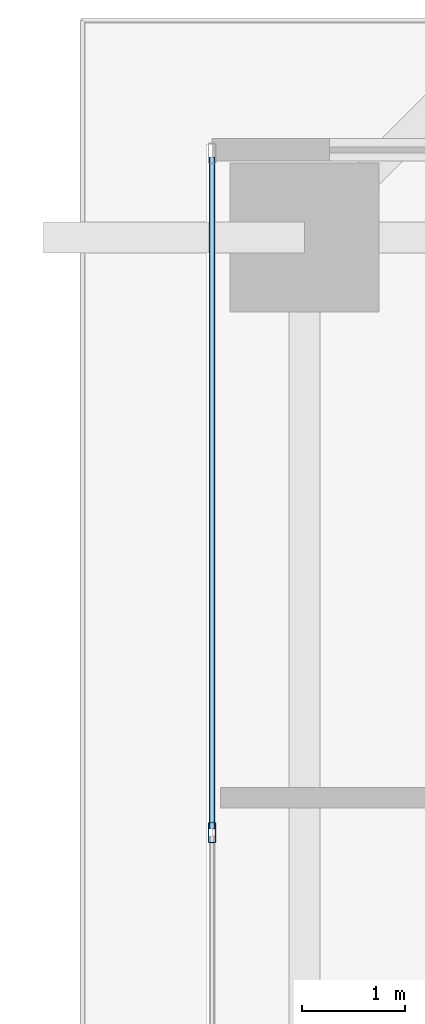
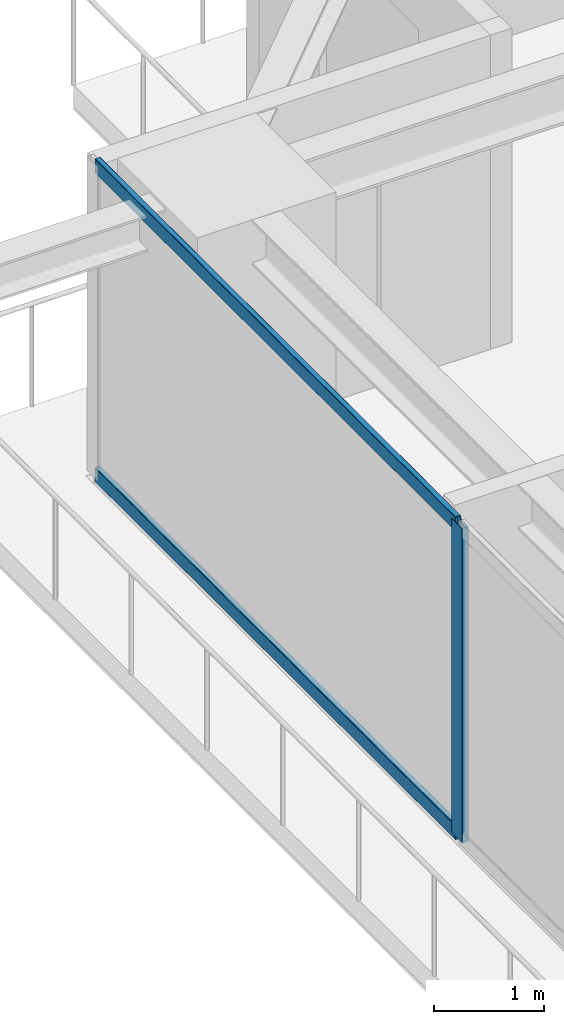
# One storey, part 16 of 38: 3 members, 1 element without a shape of its own.
"""IFC4 building model written with IfcOpenShell, lengths in metres."""

from ifc_helpers import new_model, si_unit, direction, frame, origin, origin_2d, place, context, subcontext, project, spatial, hollow_rectangle, extrude, source, transform, mapped, material, layer, layer_set, material_profile, profile_set, type_object, element, aggregate, save


model = new_model("IFC4")

# Units and contexts
model_context = context("Model", 3, precision=1e-05, world=origin(), true_north=direction((0.0, 1.0)))
body_context = subcontext(model_context, "Body", "Model", "MODEL_VIEW")
ifc_project = project(units=[si_unit("LENGTHUNIT", "METRE"), si_unit("AREAUNIT", "SQUARE_METRE"), si_unit("VOLUMEUNIT", "CUBIC_METRE"), si_unit("PLANEANGLEUNIT", "RADIAN"), si_unit("MASSUNIT", "GRAM", prefix="KILO")], contexts=[model_context])

# Site, building, storey
site_placement = place(None, origin())
site = spatial("IfcSite", under=ifc_project, at=site_placement, CompositionType="ELEMENT")
building_placement = place(site_placement, origin())
building = spatial("IfcBuilding", under=site, at=building_placement, Name="Serunith Strait Residences", CompositionType="ELEMENT")
storey_placement = place(building_placement, frame((0.0, 0.0, 67.949951171875)))
storey = spatial("IfcBuildingStorey", under=building, at=storey_placement, Name="L16", CompositionType="ELEMENT", Elevation=67.949951171875)

# Curtain wall, members
ifc_material = material(Name="Pale-Champagne Anodised Aluminium", Category="aluminium")
ifc_layer = layer(ifc_material, 0.199951171875, Name="Pale-Champagne Anodised Aluminium")
ifc_layer_set = layer_set([ifc_layer], Name="Pale-Champagne Anodised Aluminium")
curtain_wall_type = type_object("IfcCurtainWallType", Name="CW-SYS1", PredefinedType="NOTDEFINED", material=ifc_layer_set)
curtain_wall_placement = place(storey_placement, origin())
curtain_wall = element("IfcCurtainWall", 1, at=curtain_wall_placement, inside=storey, type_object=curtain_wall_type, Name="L16 W Unitised Fritted Curtain Wall", PredefinedType="NOTDEFINED")
ifc_material_profile_1 = material_profile(ifc_material, hollow_rectangle(XDim=0.070068359375, YDim=0.199951171875, WallThickness=0.00390625, InnerFilletRadius=0.006103515625, OuterFilletRadius=0.010009765625, at=origin_2d()), Name="ALU 200x70x4")
ifc_profile_set_1 = profile_set([ifc_material_profile_1], Name="Pale-Champagne Anodised Aluminium")
member_type_1 = type_object("IfcMemberType", Name="CW-SYS1-MULL", PredefinedType="MULLION", material=ifc_profile_set_1)
shared_shape_1 = source(origin(), body_context, "Body", "SweptSolid", [
    extrude(hollow_rectangle(XDim=0.070068359375, YDim=0.199951171875, WallThickness=0.00390625, InnerFilletRadius=0.006103515625, OuterFilletRadius=0.010009765625, at=origin_2d()), origin(), (0.0, 0.0, 1.0), 3.47509765625),
])
member_1_placement = place(storey_placement, frame((6.0, 35.159912109375, 0.0), z_axis=(0.0, 0.0, 1.0), x_axis=(1.0, 0.0, 0.0)))
member_1 = element("IfcMember", 2, at=member_1_placement, type_object=member_type_1, Name="CW-1 mullion 2", PredefinedType="MULLION", context=body_context, shape_type="MappedRepresentation", body=[
    mapped(shared_shape_1, transform((0.0, 0.0, 0.0), scale=1.0)),
])
ifc_material_profile_2 = material_profile(ifc_material, hollow_rectangle(XDim=0.06005859375, YDim=0.159912109375, WallThickness=0.00341796875, InnerFilletRadius=0.00537109375, OuterFilletRadius=0.0087890625, at=origin_2d()), Name="ALU 160x60x3.5")
ifc_profile_set_2 = profile_set([ifc_material_profile_2], Name="Pale-Champagne Anodised Aluminium")
member_type_2 = type_object("IfcMemberType", Name="CW-SYS1-TRAN", PredefinedType="USERDEFINED", material=ifc_profile_set_2)
shared_shape_2 = source(origin(), body_context, "Body", "SweptSolid", [
    extrude(hollow_rectangle(XDim=0.06005859375, YDim=0.159912109375, WallThickness=0.00341796875, InnerFilletRadius=0.00537109375, OuterFilletRadius=0.0087890625, at=origin_2d()), origin(), (0.0, 0.0, 1.0), 6.534912109375),
])
member_2_placement = place(storey_placement, frame((6.0, 41.72998046875, 0.030029296875), z_axis=(0.0, -1.0, 0.0), x_axis=(1.0, 0.0, 0.0)))
member_2 = element("IfcMember", 3, at=member_2_placement, type_object=member_type_2, Name="CW-1 transom 1.1", ObjectType="TRANSOM", PredefinedType="USERDEFINED", context=body_context, shape_type="MappedRepresentation", body=[
    mapped(shared_shape_2, transform((0.0, 0.0, 0.0), scale=1.0)),
])
member_3_placement = place(storey_placement, frame((6.0, 41.72998046875, 3.445068359375), z_axis=(0.0, -1.0, 0.0), x_axis=(1.0, 0.0, 0.0)))
member_3 = element("IfcMember", 4, at=member_3_placement, type_object=member_type_2, Name="CW-1 transom 1.2", ObjectType="TRANSOM", PredefinedType="USERDEFINED", context=body_context, shape_type="MappedRepresentation", body=[
    mapped(shared_shape_2, transform((0.0, 0.0, 0.0), scale=1.0)),
])
aggregate(curtain_wall, [member_1, member_2, member_3])

save(model, "model.ifc")
